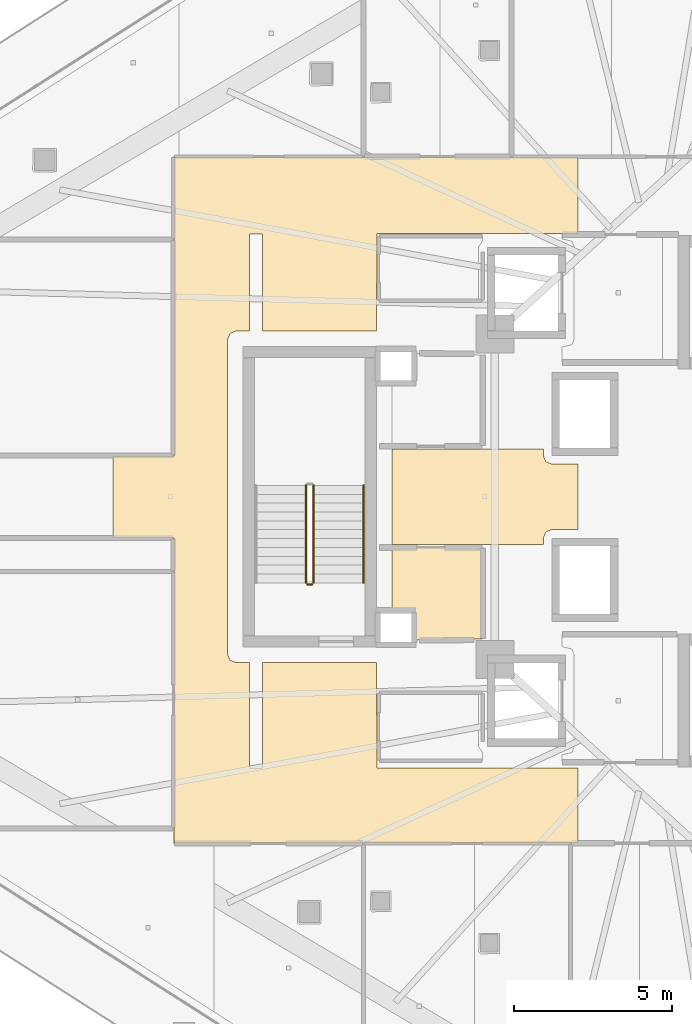
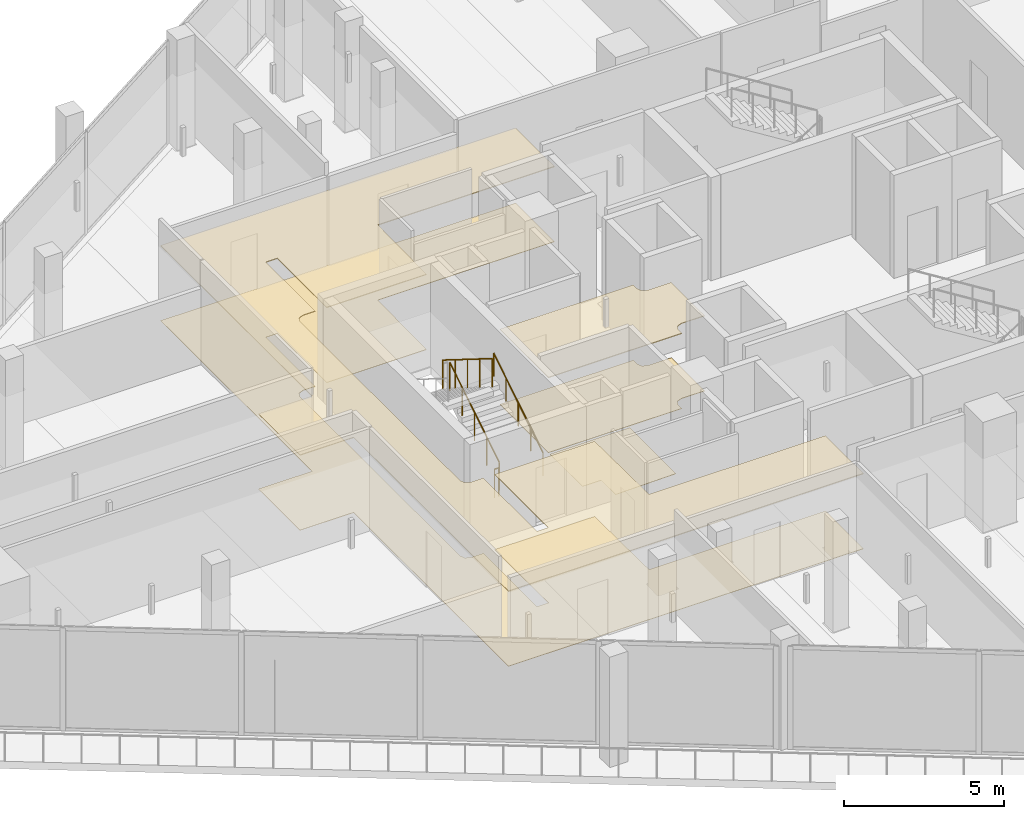
# One storey, part 39 of 46: 5 coverings, 4 railings.
"""IFC4 building model written with IfcOpenShell, lengths in metres."""

from ifc_helpers import new_model, si_unit, direction, frame, origin, origin_2d, place, context, subcontext, project, spatial, polyline, circle, outline, extrude, material, layer, layer_set, type_object, element, save


model = new_model("IFC4")

# Units and contexts
model_context = context("Model", 3, precision=1e-05, world=origin(), true_north=direction((0.0, 1.0)))
body_context = subcontext(model_context, "Body", "Model", "MODEL_VIEW")
ifc_project = project(units=[si_unit("LENGTHUNIT", "METRE"), si_unit("AREAUNIT", "SQUARE_METRE"), si_unit("VOLUMEUNIT", "CUBIC_METRE"), si_unit("PLANEANGLEUNIT", "RADIAN"), si_unit("MASSUNIT", "GRAM", prefix="KILO")], contexts=[model_context])

# Site, building, storey
site_placement = place(None, origin())
site = spatial("IfcSite", under=ifc_project, at=site_placement, CompositionType="ELEMENT")
building_placement = place(site_placement, origin())
building = spatial("IfcBuilding", under=site, at=building_placement, Name="Qorvath Tower", CompositionType="ELEMENT")
storey_placement = place(building_placement, frame((0.0, 0.0, 87.0)))
storey = spatial("IfcBuildingStorey", under=building, at=storey_placement, Name="L19", CompositionType="ELEMENT", Elevation=87.0)

# Coverings
ifc_material_1 = material(Name="Acoustic mineral fibre ceiling tile", Category="gypsum")
ifc_layer_1 = layer(ifc_material_1, 0.030029296875)
ifc_layer_set_1 = layer_set([ifc_layer_1], Name="COV-CEIL")
covering_type_1 = type_object("IfcCoveringType", Name="COV-CEIL", PredefinedType="CEILING", material=ifc_layer_set_1)
covering_1_placement = place(storey_placement, frame((0.0, 0.0, 2.85009765625)))
element("IfcCovering", 1, at=covering_1_placement, inside=storey, type_object=covering_type_1, Name="L19 Suspended Acoustic Ceiling 008", PredefinedType="CEILING", context=body_context, shape_type="SweptSolid", body=[
    extrude(outline(polyline([(-40.64990234375, -1.294921875), (-40.64501953125, -10.945068359375), (-27.866455078125, -10.945068359375), (-27.866455078125, -8.577392578125), (-34.219970703125, -8.5849609375), (-34.251220703125, -5.239990234375), (-37.844970703125, -5.239990234375), (-37.844970703125, -8.580078125), (-38.25341796875, -8.58349609375), (-38.2548828125, -5.239990234375), (-38.699951171875, -5.239990234375), (-38.876708984375, -5.166748046875), (-38.949951171875, -4.989990234375), (-38.949951171875, 4.989990234375), (-38.876708984375, 5.166748046875), (-38.699951171875, 5.239990234375), (-38.2548828125, 5.239990234375), (-38.2548828125, 8.320068359375), (-37.844970703125, 8.320068359375), (-37.844970703125, 5.239990234375), (-34.2509765625, 5.239990234375), (-34.219970703125, 8.324951171875), (-27.866455078125, 8.324951171875), (-27.866455078125, 10.7451171875), (-40.64501953125, 10.7451171875), (-40.646484375, 1.29638671875), (-42.577880859375, 1.29638671875), (-42.577880859375, -1.294921875), (-40.64990234375, -1.294921875)])), origin(), (0.0, 0.0, 1.0), 0.030029296875),
])
covering_2_placement = place(storey_placement, frame((0.0, 0.0, 2.85009765625)))
element("IfcCovering", 2, at=covering_2_placement, inside=storey, type_object=covering_type_1, Name="L19 Suspended Acoustic Ceiling 009", PredefinedType="CEILING", context=body_context, shape_type="SweptSolid", body=[
    extrude(outline(polyline([(-27.866455078125, -1.0400390625), (-27.866455078125, 1.0400390625), (-28.7099609375, 1.0400390625), (-28.88671875, 1.11328125), (-28.9599609375, 1.2900390625), (-28.9599609375, 1.514892578125), (-33.760009765625, 1.514892578125), (-33.760009765625, -1.514892578125), (-28.9599609375, -1.514892578125), (-28.9599609375, -1.2900390625), (-28.88671875, -1.11328125), (-28.7099609375, -1.0400390625), (-27.866455078125, -1.0400390625)])), origin(), (0.0, 0.0, 1.0), 0.030029296875),
])
ifc_material_2 = material(Name="Low-VOC modular carpet tile", Category="textile")
ifc_layer_2 = layer(ifc_material_2, 0.014892578125)
ifc_layer_set_2 = layer_set([ifc_layer_2], Name="COV-FLOOR-CPT")
covering_type_2 = type_object("IfcCoveringType", Name="COV-FLOOR-CPT", PredefinedType="FLOORING", material=ifc_layer_set_2)
covering_3_placement = place(storey_placement, origin())
element("IfcCovering", 3, at=covering_3_placement, inside=storey, type_object=covering_type_2, Name="L19 Floor Finish 006", PredefinedType="FLOORING", context=body_context, shape_type="SweptSolid", body=[
    extrude(outline(polyline([(-30.885009765625, -1.60498046875), (-33.760009765625, -1.60498046875), (-33.760009765625, -3.636962890625), (-33.08837890625, -3.638427734375), (-33.0869140625, -4.534912109375), (-30.885009765625, -4.489990234375), (-30.885009765625, -1.60498046875)])), origin(), (0.0, 0.0, 1.0), 0.014892578125),
])
ifc_material_3 = material(Name="Polished epoxy terrazzo flooring", Category="concrete")
ifc_layer_3 = layer(ifc_material_3, 0.02001953125)
ifc_layer_set_3 = layer_set([ifc_layer_3], Name="COV-FLOOR-TRZ")
covering_type_3 = type_object("IfcCoveringType", Name="COV-FLOOR-TRZ", PredefinedType="FLOORING", material=ifc_layer_set_3)
covering_4_placement = place(storey_placement, origin())
element("IfcCovering", 4, at=covering_4_placement, inside=storey, type_object=covering_type_3, Name="L19 Floor Finish 008", PredefinedType="FLOORING", context=body_context, shape_type="SweptSolid", body=[
    extrude(outline(polyline([(-40.64990234375, -1.294921875), (-40.64501953125, -10.945068359375), (-27.866455078125, -10.945068359375), (-27.866455078125, -8.577392578125), (-34.219970703125, -8.5849609375), (-34.251220703125, -5.239990234375), (-37.844970703125, -5.239990234375), (-37.844970703125, -8.580078125), (-38.25341796875, -8.58349609375), (-38.2548828125, -5.239990234375), (-38.699951171875, -5.239990234375), (-38.876708984375, -5.166748046875), (-38.949951171875, -4.989990234375), (-38.949951171875, 4.989990234375), (-38.876708984375, 5.166748046875), (-38.699951171875, 5.239990234375), (-38.2548828125, 5.239990234375), (-38.2548828125, 8.320068359375), (-37.844970703125, 8.320068359375), (-37.844970703125, 5.239990234375), (-34.2509765625, 5.239990234375), (-34.219970703125, 8.324951171875), (-27.866455078125, 8.324951171875), (-27.866455078125, 10.7451171875), (-40.64501953125, 10.7451171875), (-40.646484375, 1.29638671875), (-42.577880859375, 1.29638671875), (-42.577880859375, -1.294921875), (-40.64990234375, -1.294921875)])), origin(), (0.0, 0.0, 1.0), 0.014892578125),
])
covering_5_placement = place(storey_placement, origin())
element("IfcCovering", 5, at=covering_5_placement, inside=storey, type_object=covering_type_3, Name="L19 Floor Finish 009", PredefinedType="FLOORING", context=body_context, shape_type="SweptSolid", body=[
    extrude(outline(polyline([(-27.866455078125, -1.0400390625), (-27.866455078125, 1.0400390625), (-28.7099609375, 1.0400390625), (-28.88671875, 1.11328125), (-28.9599609375, 1.2900390625), (-28.9599609375, 1.514892578125), (-33.760009765625, 1.514892578125), (-33.760009765625, -1.514892578125), (-28.9599609375, -1.514892578125), (-28.9599609375, -1.2900390625), (-28.88671875, -1.11328125), (-28.7099609375, -1.0400390625), (-27.866455078125, -1.0400390625)])), origin(), (0.0, 0.0, 1.0), 0.014892578125),
])

# Railings
ifc_material_4 = material(Name="Painted galvanised steel", Category="steel")
railing_type_1 = type_object("IfcRailingType", Name="RL-STR-GRD", PredefinedType="GUARDRAIL", material=ifc_material_4)
railing_1_placement = place(storey_placement, frame((-36.22998046875, -2.719970703125, 0.175048828125)))
element("IfcRailing", 6, at=railing_1_placement, inside=storey, type_object=railing_type_1, Name="L19 TS3 stair guard 1", PredefinedType="GUARDRAIL", context=body_context, shape_type="SweptSolid", body=[
    extrude(circle(Radius=0.02392578125, at=origin_2d()), frame((0.0, 0.0, 1.076171875), z_axis=(0.0, 0.847998304005, 0.529998940003), x_axis=(-1.0, 0.0, 0.0)), (0.0, 0.0, 1.0), 3.632080078125),
    extrude(circle(Radius=0.02099609375, at=origin_2d()), origin(), (0.0, 0.0, 1.0), 1.052001953125),
    extrude(circle(Radius=0.02099609375, at=origin_2d()), frame((0.0, 0.77001953125, 0.481201171875)), (0.0, 0.0, 1.0), 1.052001953125),
    extrude(circle(Radius=0.02099609375, at=origin_2d()), frame((0.0, 1.5400390625, 0.96240234375)), (0.0, 0.0, 1.0), 1.052001953125),
    extrude(circle(Radius=0.02099609375, at=origin_2d()), frame((0.0, 2.31005859375, 1.44384765625)), (0.0, 0.0, 1.0), 1.052001953125),
    extrude(circle(Radius=0.02099609375, at=origin_2d()), frame((0.0, 3.080078125, 1.925048828125)), (0.0, 0.0, 1.0), 1.052001953125),
])
railing_2_placement = place(storey_placement, frame((-36.47998046875, 0.360107421875, 2.27490234375)))
element("IfcRailing", 7, at=railing_2_placement, inside=storey, type_object=railing_type_1, Name="L19 TS3 stair guard 3", PredefinedType="GUARDRAIL", context=body_context, shape_type="SweptSolid", body=[
    extrude(circle(Radius=0.02392578125, at=origin_2d()), frame((0.0, 0.0, 1.076171875), z_axis=(0.0, -0.847998304005, 0.529998940003), x_axis=(1.0, 0.0, 0.0)), (0.0, 0.0, 1.0), 3.632080078125),
    extrude(circle(Radius=0.02099609375, at=origin_2d()), origin(), (0.0, 0.0, 1.0), 1.052001953125),
    extrude(circle(Radius=0.02099609375, at=origin_2d()), frame((0.0, -0.77001953125, 0.481201171875)), (0.0, 0.0, 1.0), 1.052001953125),
    extrude(circle(Radius=0.02099609375, at=origin_2d()), frame((0.0, -1.5400390625, 0.96240234375)), (0.0, 0.0, 1.0), 1.052001953125),
    extrude(circle(Radius=0.02099609375, at=origin_2d()), frame((0.0, -2.31005859375, 1.44384765625)), (0.0, 0.0, 1.0), 1.052001953125),
    extrude(circle(Radius=0.02099609375, at=origin_2d()), frame((0.0, -3.080078125, 1.925048828125)), (0.0, 0.0, 1.0), 1.052001953125),
])
railing_3_placement = place(storey_placement, frame((-36.280029296875, -2.77001953125, 0.0)))
element("IfcRailing", 8, at=railing_3_placement, inside=storey, type_object=railing_type_1, Name="L19 TS3 stair guard 4", PredefinedType="GUARDRAIL", context=body_context, shape_type="SweptSolid", body=[
    extrude(circle(Radius=0.02392578125, at=origin_2d()), frame((0.0, 0.0, 1.076171875), z_axis=(-1.0, 0.0, 0.0), x_axis=(0.0, -1.0, 0.0)), (0.0, 0.0, 1.0), 0.14990234375),
    extrude(circle(Radius=0.02099609375, at=origin_2d()), origin(), (0.0, 0.0, 1.0), 1.052001953125),
    extrude(circle(Radius=0.02099609375, at=origin_2d()), frame((-0.14990234375, 0.0, 0.0)), (0.0, 0.0, 1.0), 1.052001953125),
])
ifc_material_5 = material(Name="Brushed stainless steel AISI 304", Category="steel")
railing_type_2 = type_object("IfcRailingType", Name="RL-STR-HND", PredefinedType="HANDRAIL", material=ifc_material_5)
railing_4_placement = place(storey_placement, frame((-34.64990234375, -2.719970703125, 0.175048828125)))
element("IfcRailing", 9, at=railing_4_placement, inside=storey, type_object=railing_type_2, Name="L19 TS3 stair handrail 1", PredefinedType="HANDRAIL", context=body_context, shape_type="SweptSolid", body=[
    extrude(circle(Radius=0.02392578125, at=origin_2d()), frame((0.0, 0.0, 0.8759765625), z_axis=(0.0, 0.847998304005, 0.529998940003), x_axis=(-1.0, 0.0, 0.0)), (0.0, 0.0, 1.0), 3.632080078125),
    extrude(circle(Radius=0.02099609375, at=origin_2d()), origin(), (0.0, 0.0, 1.0), 0.851806640625),
    extrude(circle(Radius=0.02099609375, at=origin_2d()), frame((0.0, 0.77001953125, 0.481201171875)), (0.0, 0.0, 1.0), 0.851806640625),
    extrude(circle(Radius=0.02099609375, at=origin_2d()), frame((0.0, 1.5400390625, 0.96240234375)), (0.0, 0.0, 1.0), 0.851806640625),
    extrude(circle(Radius=0.02099609375, at=origin_2d()), frame((0.0, 2.31005859375, 1.44384765625)), (0.0, 0.0, 1.0), 0.851806640625),
    extrude(circle(Radius=0.02099609375, at=origin_2d()), frame((0.0, 3.080078125, 1.925048828125)), (0.0, 0.0, 1.0), 0.851806640625),
])

save(model, "model.ifc")
